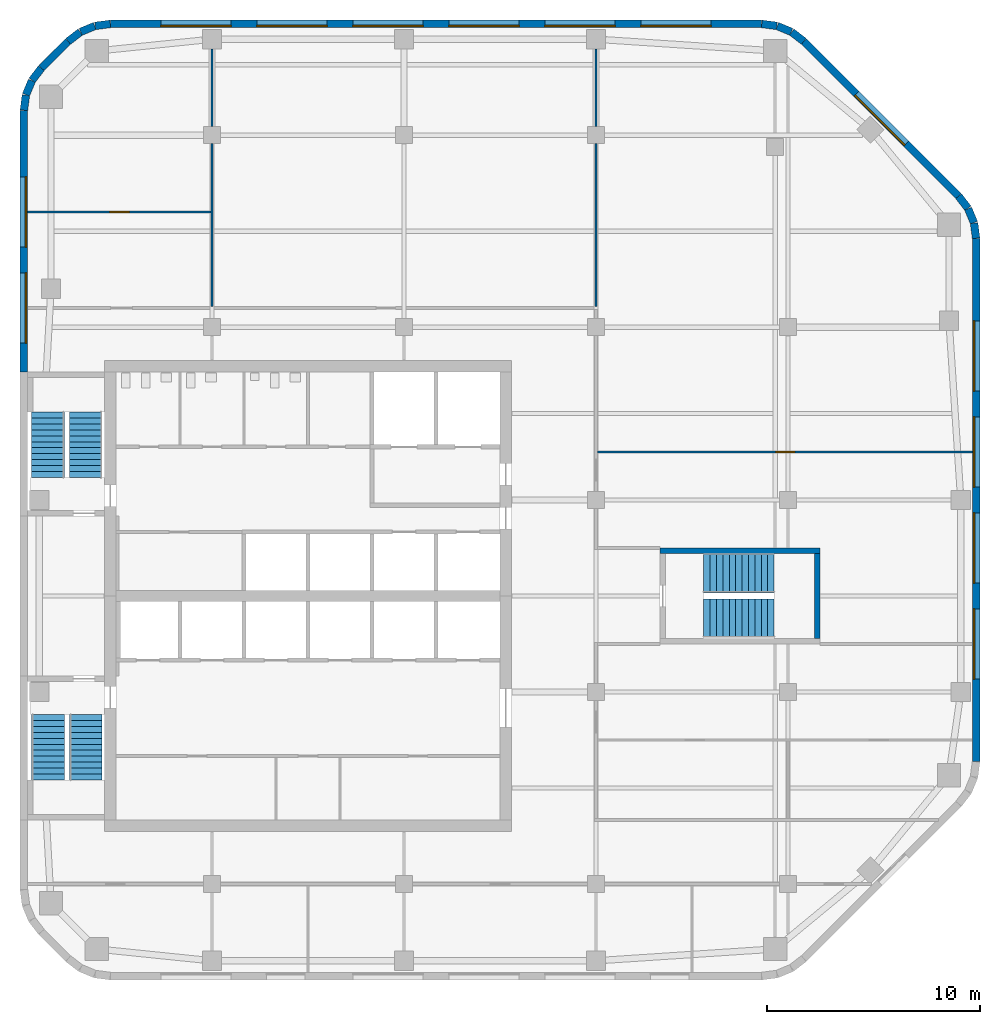
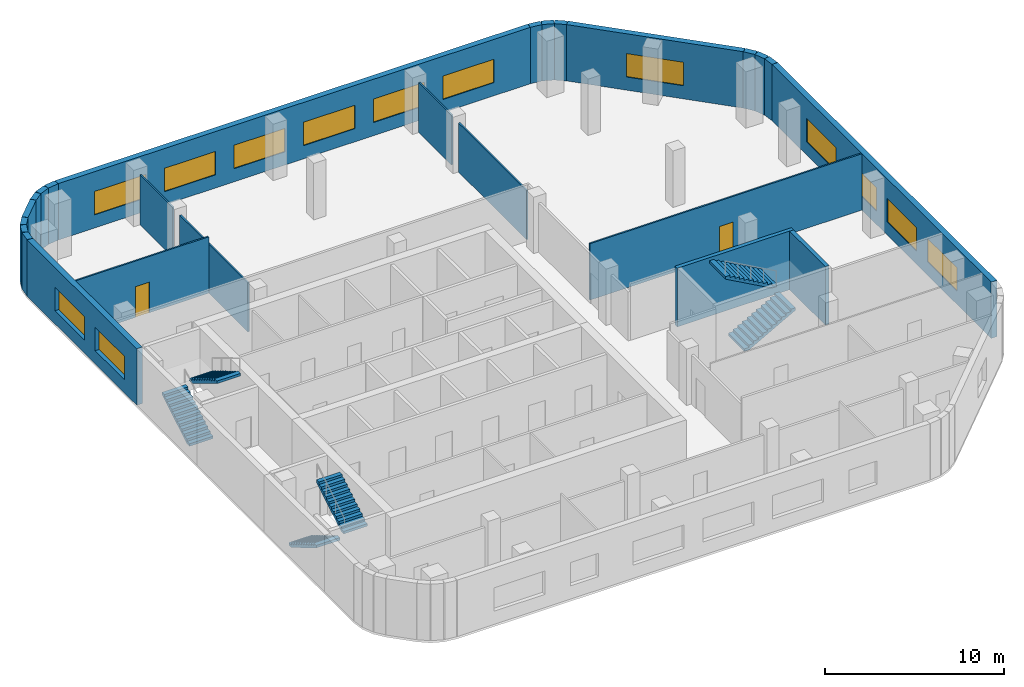
# One storey, part 5 of 7: 25 walls, 13 windows, 6 stair flights, 2 doors, 15 openings, 3 elements without a shape of their own.
"""IFC4 building model written with IfcOpenShell, lengths in metres."""

from ifc_helpers import new_model, si_unit, direction, frame, frame_2d, origin, place, context, subcontext, project, spatial, polyline, rectangle, outline, extrude, material, layer, layer_set, type_object, element, fill, aggregate, save


model = new_model("IFC4")

# Units and contexts
model_context = context("Model", 3, precision=1e-05, world=origin(), true_north=direction((0.0, 1.0)))
body_context = subcontext(model_context, "Body", "Model", "MODEL_VIEW")
ifc_project = project(units=[si_unit("LENGTHUNIT", "METRE"), si_unit("AREAUNIT", "SQUARE_METRE"), si_unit("VOLUMEUNIT", "CUBIC_METRE"), si_unit("PLANEANGLEUNIT", "RADIAN"), si_unit("MASSUNIT", "GRAM", prefix="KILO")], contexts=[model_context])

# Site, building, storey
site_placement = place(None, origin())
site = spatial("IfcSite", under=ifc_project, at=site_placement, CompositionType="ELEMENT")
building_placement = place(site_placement, origin())
building = spatial("IfcBuilding", under=site, at=building_placement, Name="Cinnabar Reach Civic Tower", CompositionType="ELEMENT")
storey_placement = place(building_placement, frame((0.0, 0.0, 234.0)))
storey = spatial("IfcBuildingStorey", under=building, at=storey_placement, Name="L56", CompositionType="ELEMENT", Elevation=234.0)

# Walls
ifc_material_1 = material(Name="Facing brick with insulated backing", Category="masonry")
ifc_layer_1 = layer(ifc_material_1, 0.36)
ifc_layer_set_1 = layer_set([ifc_layer_1], Name="Brick corner wall")
wall_type_1 = type_object("IfcWallType", Name="Brick corner wall", PredefinedType="STANDARD", material=ifc_layer_set_1)
for number, where, z_axis, x_axis, name in (
    (1, (44.817, 48.2686, 0.0), (0.0, 0.0, 1.0), (-0.13055608231, 0.99144092581, 0.0), "Brick corner wall"),
    (2, (44.7181, 48.9973, 0.0), (0.0, 0.0, 1.0), (-0.382702709855, 0.923871547278, 0.0), "Brick corner wall"),
):
    element("IfcWall", number, at=place(storey_placement, frame(where, z_axis=z_axis, x_axis=x_axis)), inside=storey, type_object=wall_type_1, Name=name, PredefinedType="STANDARD", context=body_context, shape_type="SweptSolid", body=[
        extrude(rectangle(XDim=0.7131, YDim=0.36, at=frame_2d((0.3565, 0.0))), origin(), (0.0, 0.0, 1.0), 3.85),
    ])
for number, where, z_axis, x_axis, name in (
    (3, (44.434, 49.6755, 0.0), (0.0, 0.0, 1.0), (-0.608802368033, 0.793321924995, 0.0), "Brick corner wall"),
    (4, (36.7413, 57.4998, 0.0), (0.0, 0.0, 1.0), (-0.793321924995, 0.608802368033, 0.0), "Brick corner wall"),
):
    element("IfcWall", number, at=place(storey_placement, frame(where, z_axis=z_axis, x_axis=x_axis)), inside=storey, type_object=wall_type_1, Name=name, PredefinedType="STANDARD", context=body_context, shape_type="SweptSolid", body=[
        extrude(rectangle(XDim=0.7132, YDim=0.36, at=frame_2d((0.3566, 0.0))), origin(), (0.0, 0.0, 1.0), 3.85),
    ])
for number, where, z_axis, x_axis, name in (
    (5, (36.1561, 57.9452, 0.0), (0.0, 0.0, 1.0), (-0.923871547278, 0.382702709855, 0.0), "Brick corner wall"),
    (6, (35.4756, 58.2239, 0.0), (0.0, 0.0, 1.0), (-0.99144092581, 0.13055608231, 0.0), "Brick corner wall"),
    (7, (4.2314, 58.317, 0.0), (0.0, 0.0, 1.0), (-0.99144092581, -0.13055608231, 0.0), "Brick corner wall"),
    (8, (3.5027, 58.2181, 0.0), (0.0, 0.0, 1.0), (-0.923871547278, -0.382702709855, 0.0), "Brick corner wall"),
):
    element("IfcWall", number, at=place(storey_placement, frame(where, z_axis=z_axis, x_axis=x_axis)), inside=storey, type_object=wall_type_1, Name=name, PredefinedType="STANDARD", context=body_context, shape_type="SweptSolid", body=[
        extrude(rectangle(XDim=0.7131, YDim=0.36, at=frame_2d((0.3565, 0.0))), origin(), (0.0, 0.0, 1.0), 3.85),
    ])
for number, where, z_axis, x_axis, name in (
    (9, (2.8245, 57.934, 0.0), (0.0, 0.0, 1.0), (-0.793321924995, -0.608802368033, 0.0), "Brick corner wall"),
    (10, (1.0002, 56.2413, 0.0), (0.0, 0.0, 1.0), (-0.608802368033, -0.793321924995, 0.0), "Brick corner wall"),
):
    element("IfcWall", number, at=place(storey_placement, frame(where, z_axis=z_axis, x_axis=x_axis)), inside=storey, type_object=wall_type_1, Name=name, PredefinedType="STANDARD", context=body_context, shape_type="SweptSolid", body=[
        extrude(rectangle(XDim=0.7132, YDim=0.36, at=frame_2d((0.3566, 0.0))), origin(), (0.0, 0.0, 1.0), 3.85),
    ])
for number, where, z_axis, x_axis, name in (
    (11, (0.5548, 55.6561, 0.0), (0.0, 0.0, 1.0), (-0.382702709855, -0.923871547278, 0.0), "Brick corner wall"),
    (12, (0.2761, 54.9756, 0.0), (0.0, 0.0, 1.0), (-0.13055608231, -0.99144092581, 0.0), "Brick corner wall"),
):
    element("IfcWall", number, at=place(storey_placement, frame(where, z_axis=z_axis, x_axis=x_axis)), inside=storey, type_object=wall_type_1, Name=name, PredefinedType="STANDARD", context=body_context, shape_type="SweptSolid", body=[
        extrude(rectangle(XDim=0.7131, YDim=0.36, at=frame_2d((0.3565, 0.0))), origin(), (0.0, 0.0, 1.0), 3.85),
    ])

# Wall, openings, windows
ifc_layer_2 = layer(ifc_material_1, 0.36)
ifc_layer_set_2 = layer_set([ifc_layer_2], Name="Brick pier and spandrel wall")
wall_type_2 = type_object("IfcWallType", Name="Brick pier and spandrel wall", PredefinedType="STANDARD", material=ifc_layer_set_2)
wall_1_placement = place(storey_placement, frame((44.82, 23.7426, 0.0), z_axis=(0.0, 0.0, 1.0), x_axis=(0.0, 1.0, 0.0)))
wall_1 = element("IfcWall", 13, at=wall_1_placement, inside=storey, type_object=wall_type_2, Name="Brick facade wall", PredefinedType="STANDARD", context=body_context, shape_type="SweptSolid", body=[
    extrude(rectangle(XDim=24.5148, YDim=0.36, at=frame_2d((12.2574, 0.0))), origin(), (0.0, 0.0, 1.0), 3.85),
])
opening_1_placement = place(wall_1_placement, frame((3.8574, 0.0, 0.9)))
opening_1 = element("IfcOpeningElement", 14, at=opening_1_placement, cuts=wall_1, Name="Opening W2147", PredefinedType="OPENING", context=body_context, shape_type="SweptSolid", body=[
    extrude(rectangle(XDim=3.3, YDim=1.6, at=frame_2d((1.65, 0.8))), frame((0.0, 0.19, 0.0), z_axis=(0.0, -1.0, 0.0), x_axis=(1.0, 0.0, 0.0)), (0.0, 0.0, 1.0), 0.38),
])
opening_2_placement = place(wall_1_placement, frame((8.3574, 0.0, 0.9)))
opening_2 = element("IfcOpeningElement", 15, at=opening_2_placement, cuts=wall_1, Name="Opening W2148", PredefinedType="OPENING", context=body_context, shape_type="SweptSolid", body=[
    extrude(rectangle(XDim=3.3, YDim=1.6, at=frame_2d((1.65, 0.8))), frame((0.0, 0.19, 0.0), z_axis=(0.0, -1.0, 0.0), x_axis=(1.0, 0.0, 0.0)), (0.0, 0.0, 1.0), 0.38),
])
opening_3_placement = place(wall_1_placement, frame((12.8574, 0.0, 0.9)))
opening_3 = element("IfcOpeningElement", 16, at=opening_3_placement, cuts=wall_1, Name="Opening W2149", PredefinedType="OPENING", context=body_context, shape_type="SweptSolid", body=[
    extrude(rectangle(XDim=3.3, YDim=1.6, at=frame_2d((1.65, 0.8))), frame((0.0, 0.19, 0.0), z_axis=(0.0, -1.0, 0.0), x_axis=(1.0, 0.0, 0.0)), (0.0, 0.0, 1.0), 0.38),
])
opening_4_placement = place(wall_1_placement, frame((17.3574, 0.0, 0.9)))
opening_4 = element("IfcOpeningElement", 17, at=opening_4_placement, cuts=wall_1, Name="Opening W2150", PredefinedType="OPENING", context=body_context, shape_type="SweptSolid", body=[
    extrude(rectangle(XDim=3.3, YDim=1.6, at=frame_2d((1.65, 0.8))), frame((0.0, 0.19, 0.0), z_axis=(0.0, -1.0, 0.0), x_axis=(1.0, 0.0, 0.0)), (0.0, 0.0, 1.0), 0.38),
])
ifc_material_2 = material(Name="Clear double glazing in aluminium frame", Category="aluminium")
window_type = type_object("IfcWindowType", Name="Deep-set window A", PartitioningType="SINGLE_PANEL", PredefinedType="WINDOW", material=ifc_material_2)
window_1_placement = place(opening_1_placement, origin())
window_1 = element("IfcWindow", 18, at=window_1_placement, inside=storey, type_object=window_type, Name="Window east face", OverallHeight=1.6, OverallWidth=3.3, PartitioningType="SINGLE_PANEL", PredefinedType="WINDOW", context=body_context, shape_type="SweptSolid", body=[
    extrude(rectangle(XDim=3.3, YDim=1.6, at=frame_2d((1.65, 0.8))), frame((0.0, 0.13, 0.0), z_axis=(0.0, -1.0, 0.0), x_axis=(1.0, 0.0, 0.0)), (0.0, 0.0, 1.0), 0.06),
])
fill(opening_1, window_1)
window_2_placement = place(opening_2_placement, origin())
window_2 = element("IfcWindow", 19, at=window_2_placement, inside=storey, type_object=window_type, Name="Window east face", OverallHeight=1.6, OverallWidth=3.3, PartitioningType="SINGLE_PANEL", PredefinedType="WINDOW", context=body_context, shape_type="SweptSolid", body=[
    extrude(rectangle(XDim=3.3, YDim=1.6, at=frame_2d((1.65, 0.8))), frame((0.0, 0.13, 0.0), z_axis=(0.0, -1.0, 0.0), x_axis=(1.0, 0.0, 0.0)), (0.0, 0.0, 1.0), 0.06),
])
fill(opening_2, window_2)
window_3_placement = place(opening_3_placement, origin())
window_3 = element("IfcWindow", 20, at=window_3_placement, inside=storey, type_object=window_type, Name="Window east face", OverallHeight=1.6, OverallWidth=3.3, PartitioningType="SINGLE_PANEL", PredefinedType="WINDOW", context=body_context, shape_type="SweptSolid", body=[
    extrude(rectangle(XDim=3.3, YDim=1.6, at=frame_2d((1.65, 0.8))), frame((0.0, 0.13, 0.0), z_axis=(0.0, -1.0, 0.0), x_axis=(1.0, 0.0, 0.0)), (0.0, 0.0, 1.0), 0.06),
])
fill(opening_3, window_3)
window_4_placement = place(opening_4_placement, origin())
window_4 = element("IfcWindow", 21, at=window_4_placement, inside=storey, type_object=window_type, Name="Window east face", OverallHeight=1.6, OverallWidth=3.3, PartitioningType="SINGLE_PANEL", PredefinedType="WINDOW", context=body_context, shape_type="SweptSolid", body=[
    extrude(rectangle(XDim=3.3, YDim=1.6, at=frame_2d((1.65, 0.8))), frame((0.0, 0.13, 0.0), z_axis=(0.0, -1.0, 0.0), x_axis=(1.0, 0.0, 0.0)), (0.0, 0.0, 1.0), 0.06),
])
fill(opening_4, window_4)

# Wall, opening, window
wall_2_placement = place(storey_placement, frame((43.994, 50.2514, 0.0), z_axis=(0.0, 0.0, 1.0), x_axis=(-0.707106781187, 0.707106781187, 0.0)))
wall_2 = element("IfcWall", 22, at=wall_2_placement, inside=storey, type_object=wall_type_2, Name="Brick facade wall", PredefinedType="STANDARD", context=body_context, shape_type="SweptSolid", body=[
    extrude(rectangle(XDim=10.2426, YDim=0.36, at=frame_2d((5.1213, 0.0))), origin(), (0.0, 0.0, 1.0), 3.85),
])
opening_5_placement = place(wall_2_placement, frame((3.4713, 0.0, 0.9)))
opening_5 = element("IfcOpeningElement", 23, at=opening_5_placement, cuts=wall_2, Name="Opening W2151", PredefinedType="OPENING", context=body_context, shape_type="SweptSolid", body=[
    extrude(rectangle(XDim=3.3, YDim=1.6, at=frame_2d((1.65, 0.8))), frame((0.0, 0.19, 0.0), z_axis=(0.0, -1.0, 0.0), x_axis=(1.0, 0.0, 0.0)), (0.0, 0.0, 1.0), 0.38),
])
window_5_placement = place(opening_5_placement, origin())
window_5 = element("IfcWindow", 24, at=window_5_placement, inside=storey, type_object=window_type, Name="Window northeast face", OverallHeight=1.6, OverallWidth=3.3, PartitioningType="SINGLE_PANEL", PredefinedType="WINDOW", context=body_context, shape_type="SweptSolid", body=[
    extrude(rectangle(XDim=3.3, YDim=1.6, at=frame_2d((1.65, 0.8))), frame((0.0, 0.13, 0.0), z_axis=(0.0, -1.0, 0.0), x_axis=(1.0, 0.0, 0.0)), (0.0, 0.0, 1.0), 0.06),
])
fill(opening_5, window_5)

# Wall, openings, windows
wall_3_placement = place(storey_placement, frame((34.7574, 58.32, 0.0), z_axis=(0.0, 0.0, 1.0), x_axis=(-1.0, 0.0, 0.0)))
wall_3 = element("IfcWall", 25, at=wall_3_placement, inside=storey, type_object=wall_type_2, Name="Brick facade wall", PredefinedType="STANDARD", context=body_context, shape_type="SweptSolid", body=[
    extrude(rectangle(XDim=30.5148, YDim=0.36, at=frame_2d((15.2574, 0.0))), origin(), (0.0, 0.0, 1.0), 3.85),
])
opening_6_placement = place(wall_3_placement, frame((2.3574, 0.0, 0.9)))
opening_6 = element("IfcOpeningElement", 26, at=opening_6_placement, cuts=wall_3, Name="Opening W2152", PredefinedType="OPENING", context=body_context, shape_type="SweptSolid", body=[
    extrude(rectangle(XDim=3.3, YDim=1.6, at=frame_2d((1.65, 0.8))), frame((0.0, 0.19, 0.0), z_axis=(0.0, -1.0, 0.0), x_axis=(1.0, 0.0, 0.0)), (0.0, 0.0, 1.0), 0.38),
])
opening_7_placement = place(wall_3_placement, frame((6.8574, 0.0, 0.9)))
opening_7 = element("IfcOpeningElement", 27, at=opening_7_placement, cuts=wall_3, Name="Opening W2153", PredefinedType="OPENING", context=body_context, shape_type="SweptSolid", body=[
    extrude(rectangle(XDim=3.3, YDim=1.6, at=frame_2d((1.65, 0.8))), frame((0.0, 0.19, 0.0), z_axis=(0.0, -1.0, 0.0), x_axis=(1.0, 0.0, 0.0)), (0.0, 0.0, 1.0), 0.38),
])
opening_8_placement = place(wall_3_placement, frame((11.3574, 0.0, 0.9)))
opening_8 = element("IfcOpeningElement", 28, at=opening_8_placement, cuts=wall_3, Name="Opening W2154", PredefinedType="OPENING", context=body_context, shape_type="SweptSolid", body=[
    extrude(rectangle(XDim=3.3, YDim=1.6, at=frame_2d((1.65, 0.8))), frame((0.0, 0.19, 0.0), z_axis=(0.0, -1.0, 0.0), x_axis=(1.0, 0.0, 0.0)), (0.0, 0.0, 1.0), 0.38),
])
opening_9_placement = place(wall_3_placement, frame((15.8574, 0.0, 0.9)))
opening_9 = element("IfcOpeningElement", 29, at=opening_9_placement, cuts=wall_3, Name="Opening W2155", PredefinedType="OPENING", context=body_context, shape_type="SweptSolid", body=[
    extrude(rectangle(XDim=3.3, YDim=1.6, at=frame_2d((1.65, 0.8))), frame((0.0, 0.19, 0.0), z_axis=(0.0, -1.0, 0.0), x_axis=(1.0, 0.0, 0.0)), (0.0, 0.0, 1.0), 0.38),
])
opening_10_placement = place(wall_3_placement, frame((20.3574, 0.0, 0.9)))
opening_10 = element("IfcOpeningElement", 30, at=opening_10_placement, cuts=wall_3, Name="Opening W2156", PredefinedType="OPENING", context=body_context, shape_type="SweptSolid", body=[
    extrude(rectangle(XDim=3.3, YDim=1.6, at=frame_2d((1.65, 0.8))), frame((0.0, 0.19, 0.0), z_axis=(0.0, -1.0, 0.0), x_axis=(1.0, 0.0, 0.0)), (0.0, 0.0, 1.0), 0.38),
])
opening_11_placement = place(wall_3_placement, frame((24.8574, 0.0, 0.9)))
opening_11 = element("IfcOpeningElement", 31, at=opening_11_placement, cuts=wall_3, Name="Opening W2157", PredefinedType="OPENING", context=body_context, shape_type="SweptSolid", body=[
    extrude(rectangle(XDim=3.3, YDim=1.6, at=frame_2d((1.65, 0.8))), frame((0.0, 0.19, 0.0), z_axis=(0.0, -1.0, 0.0), x_axis=(1.0, 0.0, 0.0)), (0.0, 0.0, 1.0), 0.38),
])
window_6_placement = place(opening_6_placement, origin())
window_6 = element("IfcWindow", 32, at=window_6_placement, inside=storey, type_object=window_type, Name="Window north face", OverallHeight=1.6, OverallWidth=3.3, PartitioningType="SINGLE_PANEL", PredefinedType="WINDOW", context=body_context, shape_type="SweptSolid", body=[
    extrude(rectangle(XDim=3.3, YDim=1.6, at=frame_2d((1.65, 0.8))), frame((0.0, 0.13, 0.0), z_axis=(0.0, -1.0, 0.0), x_axis=(1.0, 0.0, 0.0)), (0.0, 0.0, 1.0), 0.06),
])
fill(opening_6, window_6)
window_7_placement = place(opening_7_placement, origin())
window_7 = element("IfcWindow", 33, at=window_7_placement, inside=storey, type_object=window_type, Name="Window north face", OverallHeight=1.6, OverallWidth=3.3, PartitioningType="SINGLE_PANEL", PredefinedType="WINDOW", context=body_context, shape_type="SweptSolid", body=[
    extrude(rectangle(XDim=3.3, YDim=1.6, at=frame_2d((1.65, 0.8))), frame((0.0, 0.13, 0.0), z_axis=(0.0, -1.0, 0.0), x_axis=(1.0, 0.0, 0.0)), (0.0, 0.0, 1.0), 0.06),
])
fill(opening_7, window_7)
window_8_placement = place(opening_8_placement, origin())
window_8 = element("IfcWindow", 34, at=window_8_placement, inside=storey, type_object=window_type, Name="Window north face", OverallHeight=1.6, OverallWidth=3.3, PartitioningType="SINGLE_PANEL", PredefinedType="WINDOW", context=body_context, shape_type="SweptSolid", body=[
    extrude(rectangle(XDim=3.3, YDim=1.6, at=frame_2d((1.65, 0.8))), frame((0.0, 0.13, 0.0), z_axis=(0.0, -1.0, 0.0), x_axis=(1.0, 0.0, 0.0)), (0.0, 0.0, 1.0), 0.06),
])
fill(opening_8, window_8)
window_9_placement = place(opening_9_placement, origin())
window_9 = element("IfcWindow", 35, at=window_9_placement, inside=storey, type_object=window_type, Name="Window north face", OverallHeight=1.6, OverallWidth=3.3, PartitioningType="SINGLE_PANEL", PredefinedType="WINDOW", context=body_context, shape_type="SweptSolid", body=[
    extrude(rectangle(XDim=3.3, YDim=1.6, at=frame_2d((1.65, 0.8))), frame((0.0, 0.13, 0.0), z_axis=(0.0, -1.0, 0.0), x_axis=(1.0, 0.0, 0.0)), (0.0, 0.0, 1.0), 0.06),
])
fill(opening_9, window_9)
window_10_placement = place(opening_10_placement, origin())
window_10 = element("IfcWindow", 36, at=window_10_placement, inside=storey, type_object=window_type, Name="Window north face", OverallHeight=1.6, OverallWidth=3.3, PartitioningType="SINGLE_PANEL", PredefinedType="WINDOW", context=body_context, shape_type="SweptSolid", body=[
    extrude(rectangle(XDim=3.3, YDim=1.6, at=frame_2d((1.65, 0.8))), frame((0.0, 0.13, 0.0), z_axis=(0.0, -1.0, 0.0), x_axis=(1.0, 0.0, 0.0)), (0.0, 0.0, 1.0), 0.06),
])
fill(opening_10, window_10)
window_11_placement = place(opening_11_placement, origin())
window_11 = element("IfcWindow", 37, at=window_11_placement, inside=storey, type_object=window_type, Name="Window north face", OverallHeight=1.6, OverallWidth=3.3, PartitioningType="SINGLE_PANEL", PredefinedType="WINDOW", context=body_context, shape_type="SweptSolid", body=[
    extrude(rectangle(XDim=3.3, YDim=1.6, at=frame_2d((1.65, 0.8))), frame((0.0, 0.13, 0.0), z_axis=(0.0, -1.0, 0.0), x_axis=(1.0, 0.0, 0.0)), (0.0, 0.0, 1.0), 0.06),
])
fill(opening_11, window_11)

# Wall
wall_4_placement = place(storey_placement, frame((2.2486, 57.494, 0.0), z_axis=(0.0, 0.0, 1.0), x_axis=(-0.707106781187, -0.707106781187, 0.0)))
element("IfcWall", 38, at=wall_4_placement, inside=storey, type_object=wall_type_2, Name="Brick facade wall", PredefinedType="STANDARD", context=body_context, shape_type="SweptSolid", body=[
    extrude(rectangle(XDim=1.7573, YDim=0.36, at=frame_2d((0.8787, 0.0))), origin(), (0.0, 0.0, 1.0), 3.85),
])

# Wall, openings, windows
wall_5_placement = place(storey_placement, frame((0.18, 54.2574, 0.0), z_axis=(0.0, 0.0, 1.0), x_axis=(0.0, -1.0, 0.0)))
wall_5 = element("IfcWall", 39, at=wall_5_placement, inside=storey, type_object=wall_type_2, Name="Brick facade wall", PredefinedType="STANDARD", context=body_context, shape_type="SweptSolid", body=[
    extrude(rectangle(XDim=12.2574, YDim=0.36, at=frame_2d((6.1287, 0.0))), origin(), (0.0, 0.0, 1.0), 3.85),
])
opening_12_placement = place(wall_5_placement, frame((3.1074, 0.0, 0.9)))
opening_12 = element("IfcOpeningElement", 40, at=opening_12_placement, cuts=wall_5, Name="Opening W2158", PredefinedType="OPENING", context=body_context, shape_type="SweptSolid", body=[
    extrude(rectangle(XDim=3.3, YDim=1.6, at=frame_2d((1.65, 0.8))), frame((0.0, 0.19, 0.0), z_axis=(0.0, -1.0, 0.0), x_axis=(1.0, 0.0, 0.0)), (0.0, 0.0, 1.0), 0.38),
])
opening_13_placement = place(wall_5_placement, frame((7.6074, 0.0, 0.9)))
opening_13 = element("IfcOpeningElement", 41, at=opening_13_placement, cuts=wall_5, Name="Opening W2159", PredefinedType="OPENING", context=body_context, shape_type="SweptSolid", body=[
    extrude(rectangle(XDim=3.3, YDim=1.6, at=frame_2d((1.65, 0.8))), frame((0.0, 0.19, 0.0), z_axis=(0.0, -1.0, 0.0), x_axis=(1.0, 0.0, 0.0)), (0.0, 0.0, 1.0), 0.38),
])
window_12_placement = place(opening_12_placement, origin())
window_12 = element("IfcWindow", 42, at=window_12_placement, inside=storey, type_object=window_type, Name="Window west face", OverallHeight=1.6, OverallWidth=3.3, PartitioningType="SINGLE_PANEL", PredefinedType="WINDOW", context=body_context, shape_type="SweptSolid", body=[
    extrude(rectangle(XDim=3.3, YDim=1.6, at=frame_2d((1.65, 0.8))), frame((0.0, 0.13, 0.0), z_axis=(0.0, -1.0, 0.0), x_axis=(1.0, 0.0, 0.0)), (0.0, 0.0, 1.0), 0.06),
])
fill(opening_12, window_12)
window_13_placement = place(opening_13_placement, origin())
window_13 = element("IfcWindow", 43, at=window_13_placement, inside=storey, type_object=window_type, Name="Window west face", OverallHeight=1.6, OverallWidth=3.3, PartitioningType="SINGLE_PANEL", PredefinedType="WINDOW", context=body_context, shape_type="SweptSolid", body=[
    extrude(rectangle(XDim=3.3, YDim=1.6, at=frame_2d((1.65, 0.8))), frame((0.0, 0.13, 0.0), z_axis=(0.0, -1.0, 0.0), x_axis=(1.0, 0.0, 0.0)), (0.0, 0.0, 1.0), 0.06),
])
fill(opening_13, window_13)

# Wall, opening, door
ifc_material_3 = material(Name="Gypsum board on steel studs", Category="steel")
ifc_layer_3 = layer(ifc_material_3, 0.1)
ifc_layer_set_3 = layer_set([ifc_layer_3], Name="Partition wall 100 T1")
wall_type_3 = type_object("IfcWallType", Name="Partition wall 100 T1", PredefinedType="PARTITIONING", material=ifc_layer_set_3)
wall_6_placement = place(storey_placement, frame((27.075, 38.25, 0.0), z_axis=(0.0, 0.0, 1.0), x_axis=(1.0, 0.0, 0.0)))
wall_6 = element("IfcWall", 44, at=wall_6_placement, inside=storey, type_object=wall_type_3, Name="Partition wall 41", PredefinedType="PARTITIONING", context=body_context, shape_type="SweptSolid", body=[
    extrude(rectangle(XDim=17.565, YDim=0.1, at=frame_2d((8.7825, 0.0))), origin(), (0.0, 0.0, 1.0), 3.85),
])
opening_14_placement = place(wall_6_placement, frame((8.35, 0.0, 0.0)))
opening_14 = element("IfcOpeningElement", 45, at=opening_14_placement, cuts=wall_6, Name="Opening D5289", PredefinedType="OPENING", context=body_context, shape_type="SweptSolid", body=[
    extrude(rectangle(XDim=0.9, YDim=2.1, at=frame_2d((0.45, 1.05))), frame((0.0, 0.06, 0.0), z_axis=(0.0, -1.0, 0.0), x_axis=(1.0, 0.0, 0.0)), (0.0, 0.0, 1.0), 0.12),
])
ifc_material_4 = material(Name="Timber door leaf in steel frame", Category="steel")
door_type = type_object("IfcDoorType", Name="Single swing door 900 x 2100 T1", OperationType="SINGLE_SWING_LEFT", PredefinedType="DOOR", material=ifc_material_4)
door_1_placement = place(opening_14_placement, frame((0.9, 0.0, 0.0), z_axis=(0.0, 0.0, 1.0), x_axis=(-1.0, 0.0, 0.0)))
door_1 = element("IfcDoor", 46, at=door_1_placement, inside=storey, type_object=door_type, Name="Door D5289", OperationType="SINGLE_SWING_RIGHT", OverallHeight=2.1, OverallWidth=0.9, PredefinedType="DOOR", context=body_context, shape_type="SweptSolid", body=[
    extrude(rectangle(XDim=0.9, YDim=2.1, at=frame_2d((0.45, 1.05))), frame((0.0, 0.025, 0.0), z_axis=(0.0, -1.0, 0.0), x_axis=(1.0, 0.0, 0.0)), (0.0, 0.0, 1.0), 0.05),
])
fill(opening_14, door_1)

# Walls
wall_7_placement = place(storey_placement, frame((9.0, 45.075, 0.0), z_axis=(0.0, 0.0, 1.0), x_axis=(0.0, 1.0, 0.0)))
element("IfcWall", 47, at=wall_7_placement, inside=storey, type_object=wall_type_3, Name="Partition wall 42", PredefinedType="PARTITIONING", context=body_context, shape_type="SweptSolid", body=[
    extrude(rectangle(XDim=7.625, YDim=0.1, at=frame_2d((3.8125, 0.0))), origin(), (0.0, 0.0, 1.0), 3.35),
])
wall_8_placement = place(storey_placement, frame((9.0, 53.5, 0.0), z_axis=(0.0, 0.0, 1.0), x_axis=(0.0, 1.0, 0.0)))
element("IfcWall", 48, at=wall_8_placement, inside=storey, type_object=wall_type_3, Name="Partition wall 43", PredefinedType="PARTITIONING", context=body_context, shape_type="SweptSolid", body=[
    extrude(rectangle(XDim=3.65, YDim=0.1, at=frame_2d((1.825, 0.0))), origin(), (0.0, 0.0, 1.0), 3.41),
])
wall_9_placement = place(storey_placement, frame((27.0, 45.075, 0.0), z_axis=(0.0, 0.0, 1.0), x_axis=(0.0, 1.0, 0.0)))
element("IfcWall", 49, at=wall_9_placement, inside=storey, type_object=wall_type_3, Name="Partition wall 44", PredefinedType="PARTITIONING", context=body_context, shape_type="SweptSolid", body=[
    extrude(rectangle(XDim=7.625, YDim=0.1, at=frame_2d((3.8125, 0.0))), origin(), (0.0, 0.0, 1.0), 3.35),
])
wall_10_placement = place(storey_placement, frame((27.0, 53.5, 0.0), z_axis=(0.0, 0.0, 1.0), x_axis=(0.0, 1.0, 0.0)))
element("IfcWall", 50, at=wall_10_placement, inside=storey, type_object=wall_type_3, Name="Partition wall 45", PredefinedType="PARTITIONING", context=body_context, shape_type="SweptSolid", body=[
    extrude(rectangle(XDim=3.65, YDim=0.1, at=frame_2d((1.825, 0.0))), origin(), (0.0, 0.0, 1.0), 3.41),
])

# Wall, opening, door
wall_11_placement = place(storey_placement, frame((0.36, 49.5, 0.0), z_axis=(0.0, 0.0, 1.0), x_axis=(1.0, 0.0, 0.0)))
wall_11 = element("IfcWall", 51, at=wall_11_placement, inside=storey, type_object=wall_type_3, Name="Partition wall 46", PredefinedType="PARTITIONING", context=body_context, shape_type="SweptSolid", body=[
    extrude(rectangle(XDim=8.59, YDim=0.1, at=frame_2d((4.295, 0.0))), origin(), (0.0, 0.0, 1.0), 3.85),
])
opening_15_placement = place(wall_11_placement, frame((3.85, 0.0, 0.0)))
opening_15 = element("IfcOpeningElement", 52, at=opening_15_placement, cuts=wall_11, Name="Opening D5297", PredefinedType="OPENING", context=body_context, shape_type="SweptSolid", body=[
    extrude(rectangle(XDim=0.9, YDim=2.1, at=frame_2d((0.45, 1.05))), frame((0.0, 0.06, 0.0), z_axis=(0.0, -1.0, 0.0), x_axis=(1.0, 0.0, 0.0)), (0.0, 0.0, 1.0), 0.12),
])
door_2_placement = place(opening_15_placement, frame((0.9, 0.0, 0.0), z_axis=(0.0, 0.0, 1.0), x_axis=(-1.0, 0.0, 0.0)))
door_2 = element("IfcDoor", 53, at=door_2_placement, inside=storey, type_object=door_type, Name="Door D5297", OperationType="SINGLE_SWING_LEFT", OverallHeight=2.1, OverallWidth=0.9, PredefinedType="DOOR", context=body_context, shape_type="SweptSolid", body=[
    extrude(rectangle(XDim=0.9, YDim=2.1, at=frame_2d((0.45, 1.05))), frame((0.0, 0.025, 0.0), z_axis=(0.0, -1.0, 0.0), x_axis=(1.0, 0.0, 0.0)), (0.0, 0.0, 1.0), 0.05),
])
fill(opening_15, door_2)

# Walls
ifc_material_5 = material(Name="Concrete C60", Category="concrete")
ifc_layer_4 = layer(ifc_material_5, 0.25)
ifc_layer_set_4 = layer_set([ifc_layer_4], Name="Stair shaft wall 250 EI 120")
wall_type_4 = type_object("IfcWallType", Name="Stair shaft wall 250 EI 120", PredefinedType="SOLIDWALL", material=ifc_layer_set_4)
wall_12_placement = place(storey_placement, frame((37.5, 33.625, 0.0), z_axis=(0.0, 0.0, 1.0), x_axis=(-1.0, 0.0, 0.0)))
element("IfcWall", 54, at=wall_12_placement, inside=storey, type_object=wall_type_4, Name="Stair shaft wall T1-S3 L56", PredefinedType="SOLIDWALL", context=body_context, shape_type="SweptSolid", body=[
    extrude(rectangle(XDim=7.5, YDim=0.25, at=frame_2d((3.75, 0.0))), origin(), (0.0, 0.0, 1.0), 4.0),
])
wall_13_placement = place(storey_placement, frame((37.375, 29.5, 0.0), z_axis=(0.0, 0.0, 1.0), x_axis=(0.0, 1.0, 0.0)))
element("IfcWall", 55, at=wall_13_placement, inside=storey, type_object=wall_type_4, Name="Stair shaft wall T1-S3 L56", PredefinedType="SOLIDWALL", context=body_context, shape_type="SweptSolid", body=[
    extrude(rectangle(XDim=4.0, YDim=0.25, at=frame_2d((2.0, 0.0))), origin(), (0.0, 0.0, 1.0), 4.0),
])

# Stair, stair flights
ifc_material_6 = material(Name="Concrete C40/50", Category="concrete")
stair_type = type_object("IfcStairType", Name="T1 Exit stair, half-turn", PredefinedType="HALF_TURN_STAIR", material=ifc_material_6)
stair_1_placement = place(storey_placement, origin())
stair_1 = element("IfcStair", 56, at=stair_1_placement, inside=storey, type_object=stair_type, Name="Stair T1-S1", PredefinedType="HALF_TURN_STAIR")
stair_flight_type = type_object("IfcStairFlightType", Name="T1 Stair flight, concrete", PredefinedType="STRAIGHT", material=ifc_material_6)
stair_flight_1_placement = place(storey_placement, frame((1.3125, 25.95, 0.0), z_axis=(0.0, 0.0, 1.0), x_axis=(0.0, -1.0, 0.0)))
stair_flight_1 = element("IfcStairFlight", 57, at=stair_flight_1_placement, type_object=stair_flight_type, Name="T1-S1 flight 1", NumberOfRisers=12, NumberOfTreads=11, PredefinedType="STRAIGHT", RiserHeight=0.166666667, TreadLength=0.28, context=body_context, shape_type="SweptSolid", body=[
    extrude(outline(polyline([(0.0, 0.0), (0.0, 0.1667), (0.28, 0.1667), (0.28, 0.3333), (0.56, 0.3333), (0.56, 0.5), (0.84, 0.5), (0.84, 0.6667), (1.12, 0.6667), (1.12, 0.8333), (1.4, 0.8333), (1.4, 1.0), (1.68, 1.0), (1.68, 1.1667), (1.96, 1.1667), (1.96, 1.3333), (2.24, 1.3333), (2.24, 1.5), (2.52, 1.5), (2.52, 1.6667), (2.8, 1.6667), (2.8, 1.8333), (3.08, 1.8333), (3.08, 2.0), (3.08, 1.6588), (0.2933, 0.0), (0.0, 0.0)])), frame((0.0, 0.7625, 0.0), z_axis=(0.0, -1.0, 0.0), x_axis=(1.0, 0.0, 0.0)), (0.0, 0.0, 1.0), 1.525),
])
stair_flight_2_placement = place(storey_placement, frame((3.0875, 22.87, 2.0), z_axis=(0.0, 0.0, 1.0), x_axis=(0.0, 1.0, 0.0)))
stair_flight_2 = element("IfcStairFlight", 58, at=stair_flight_2_placement, type_object=stair_flight_type, Name="T1-S1 flight 2", NumberOfRisers=12, NumberOfTreads=11, PredefinedType="STRAIGHT", RiserHeight=0.166666667, TreadLength=0.28, context=body_context, shape_type="SweptSolid", body=[
    extrude(outline(polyline([(0.0, 0.0), (0.0, 0.1667), (0.28, 0.1667), (0.28, 0.3333), (0.56, 0.3333), (0.56, 0.5), (0.84, 0.5), (0.84, 0.6667), (1.12, 0.6667), (1.12, 0.8333), (1.4, 0.8333), (1.4, 1.0), (1.68, 1.0), (1.68, 1.1667), (1.96, 1.1667), (1.96, 1.3333), (2.24, 1.3333), (2.24, 1.5), (2.52, 1.5), (2.52, 1.6667), (2.8, 1.6667), (2.8, 1.8333), (3.08, 1.8333), (3.08, 2.0), (3.08, 1.6588), (0.2933, 0.0), (0.0, 0.0)])), frame((0.0, 0.7625, 0.0), z_axis=(0.0, -1.0, 0.0), x_axis=(1.0, 0.0, 0.0)), (0.0, 0.0, 1.0), 1.525),
])
aggregate(stair_1, [stair_flight_1, stair_flight_2])

stair_2_placement = place(storey_placement, origin())
stair_2 = element("IfcStair", 59, at=stair_2_placement, inside=storey, type_object=stair_type, Name="Stair T1-S2", PredefinedType="HALF_TURN_STAIR")
stair_flight_3_placement = place(storey_placement, frame((1.3125, 37.05, 0.0), z_axis=(0.0, 0.0, 1.0), x_axis=(0.0, 1.0, 0.0)))
stair_flight_3 = element("IfcStairFlight", 60, at=stair_flight_3_placement, type_object=stair_flight_type, Name="T1-S2 flight 1", NumberOfRisers=12, NumberOfTreads=11, PredefinedType="STRAIGHT", RiserHeight=0.166666667, TreadLength=0.28, context=body_context, shape_type="SweptSolid", body=[
    extrude(outline(polyline([(0.0, 0.0), (0.0, 0.1667), (0.28, 0.1667), (0.28, 0.3333), (0.56, 0.3333), (0.56, 0.5), (0.84, 0.5), (0.84, 0.6667), (1.12, 0.6667), (1.12, 0.8333), (1.4, 0.8333), (1.4, 1.0), (1.68, 1.0), (1.68, 1.1667), (1.96, 1.1667), (1.96, 1.3333), (2.24, 1.3333), (2.24, 1.5), (2.52, 1.5), (2.52, 1.6667), (2.8, 1.6667), (2.8, 1.8333), (3.08, 1.8333), (3.08, 2.0), (3.08, 1.6588), (0.2933, 0.0), (0.0, 0.0)])), frame((0.0, 0.7625, 0.0), z_axis=(0.0, -1.0, 0.0), x_axis=(1.0, 0.0, 0.0)), (0.0, 0.0, 1.0), 1.525),
])
stair_flight_4_placement = place(storey_placement, frame((3.0875, 40.13, 2.0), z_axis=(0.0, 0.0, 1.0), x_axis=(0.0, -1.0, 0.0)))
stair_flight_4 = element("IfcStairFlight", 61, at=stair_flight_4_placement, type_object=stair_flight_type, Name="T1-S2 flight 2", NumberOfRisers=12, NumberOfTreads=11, PredefinedType="STRAIGHT", RiserHeight=0.166666667, TreadLength=0.28, context=body_context, shape_type="SweptSolid", body=[
    extrude(outline(polyline([(0.0, 0.0), (0.0, 0.1667), (0.28, 0.1667), (0.28, 0.3333), (0.56, 0.3333), (0.56, 0.5), (0.84, 0.5), (0.84, 0.6667), (1.12, 0.6667), (1.12, 0.8333), (1.4, 0.8333), (1.4, 1.0), (1.68, 1.0), (1.68, 1.1667), (1.96, 1.1667), (1.96, 1.3333), (2.24, 1.3333), (2.24, 1.5), (2.52, 1.5), (2.52, 1.6667), (2.8, 1.6667), (2.8, 1.8333), (3.08, 1.8333), (3.08, 2.0), (3.08, 1.6588), (0.2933, 0.0), (0.0, 0.0)])), frame((0.0, 0.7625, 0.0), z_axis=(0.0, -1.0, 0.0), x_axis=(1.0, 0.0, 0.0)), (0.0, 0.0, 1.0), 1.525),
])
aggregate(stair_2, [stair_flight_3, stair_flight_4])

stair_3_placement = place(storey_placement, origin())
stair_3 = element("IfcStair", 62, at=stair_3_placement, inside=storey, type_object=stair_type, Name="Stair T1-S3", PredefinedType="HALF_TURN_STAIR")
stair_flight_5_placement = place(storey_placement, frame((32.05, 30.45, 0.0), z_axis=(0.0, 0.0, 1.0), x_axis=(1.0, 0.0, 0.0)))
stair_flight_5 = element("IfcStairFlight", 63, at=stair_flight_5_placement, type_object=stair_flight_type, Name="T1-S3 flight 1", NumberOfRisers=12, NumberOfTreads=11, PredefinedType="STRAIGHT", RiserHeight=0.166666667, TreadLength=0.3, context=body_context, shape_type="SweptSolid", body=[
    extrude(outline(polyline([(0.0, 0.0), (0.0, 0.1667), (0.3, 0.1667), (0.3, 0.3333), (0.6, 0.3333), (0.6, 0.5), (0.9, 0.5), (0.9, 0.6667), (1.2, 0.6667), (1.2, 0.8333), (1.5, 0.8333), (1.5, 1.0), (1.8, 1.0), (1.8, 1.1667), (2.1, 1.1667), (2.1, 1.3333), (2.4, 1.3333), (2.4, 1.5), (2.7, 1.5), (2.7, 1.6667), (3.0, 1.6667), (3.0, 1.8333), (3.3, 1.8333), (3.3, 2.0), (3.3, 1.6617), (0.3089, 0.0), (0.0, 0.0)])), frame((0.0, 0.9, 0.0), z_axis=(0.0, -1.0, 0.0), x_axis=(1.0, 0.0, 0.0)), (0.0, 0.0, 1.0), 1.8),
])
stair_flight_6_placement = place(storey_placement, frame((35.35, 32.55, 2.0), z_axis=(0.0, 0.0, 1.0), x_axis=(-1.0, 0.0, 0.0)))
stair_flight_6 = element("IfcStairFlight", 64, at=stair_flight_6_placement, type_object=stair_flight_type, Name="T1-S3 flight 2", NumberOfRisers=12, NumberOfTreads=11, PredefinedType="STRAIGHT", RiserHeight=0.166666667, TreadLength=0.3, context=body_context, shape_type="SweptSolid", body=[
    extrude(outline(polyline([(0.0, 0.0), (0.0, 0.1667), (0.3, 0.1667), (0.3, 0.3333), (0.6, 0.3333), (0.6, 0.5), (0.9, 0.5), (0.9, 0.6667), (1.2, 0.6667), (1.2, 0.8333), (1.5, 0.8333), (1.5, 1.0), (1.8, 1.0), (1.8, 1.1667), (2.1, 1.1667), (2.1, 1.3333), (2.4, 1.3333), (2.4, 1.5), (2.7, 1.5), (2.7, 1.6667), (3.0, 1.6667), (3.0, 1.8333), (3.3, 1.8333), (3.3, 2.0), (3.3, 1.6617), (0.3089, 0.0), (0.0, 0.0)])), frame((0.0, 0.9, 0.0), z_axis=(0.0, -1.0, 0.0), x_axis=(1.0, 0.0, 0.0)), (0.0, 0.0, 1.0), 1.8),
])
aggregate(stair_3, [stair_flight_5, stair_flight_6])

save(model, "model.ifc")
